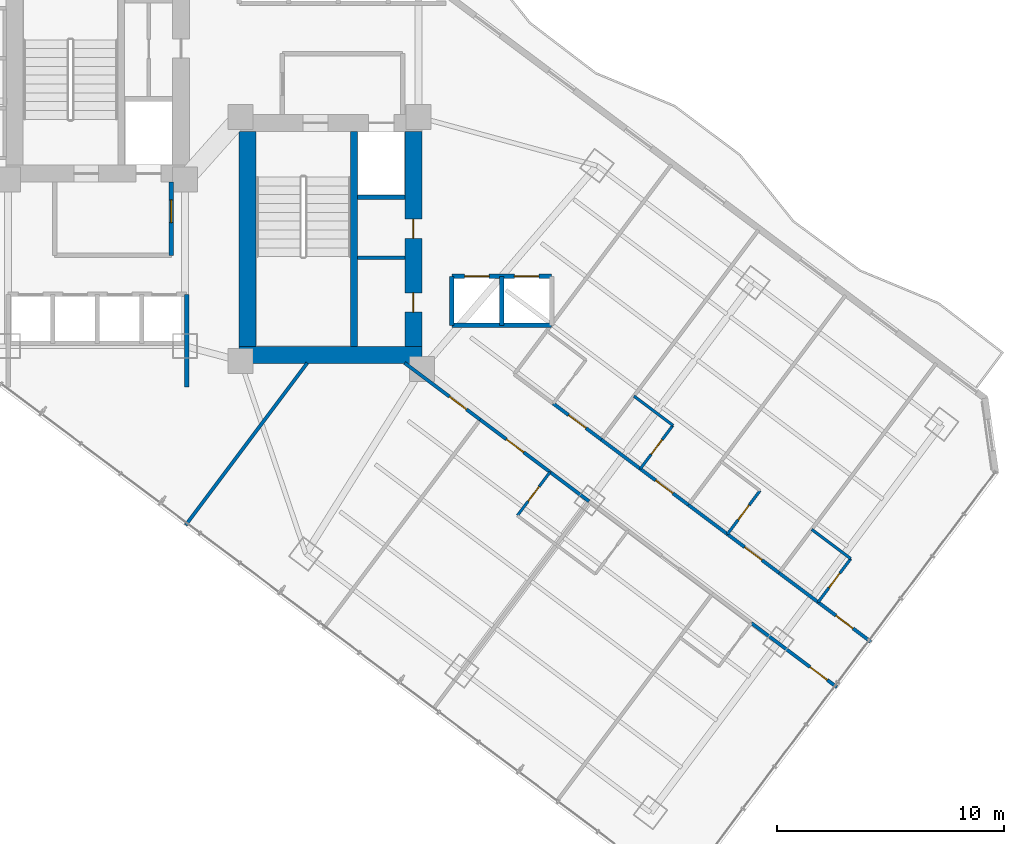
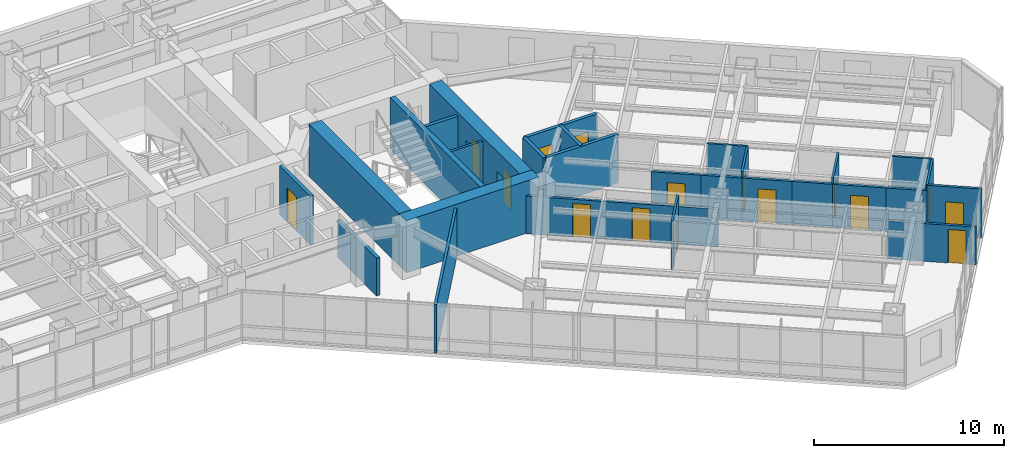
# One storey, part 29 of 38: 30 walls, 16 doors, 16 openings.
"""IFC4 building model written with IfcOpenShell, lengths in metres."""

from ifc_helpers import new_model, si_unit, direction, frame, frame_2d, origin, place, context, subcontext, project, spatial, rectangle, extrude, material, layer, layer_set, type_object, element, fill, save


model = new_model("IFC4")

# Units and contexts
model_context = context("Model", 3, precision=1e-05, world=origin(), true_north=direction((0.0, 1.0)))
body_context = subcontext(model_context, "Body", "Model", "MODEL_VIEW")
ifc_project = project(units=[si_unit("LENGTHUNIT", "METRE"), si_unit("AREAUNIT", "SQUARE_METRE"), si_unit("VOLUMEUNIT", "CUBIC_METRE"), si_unit("PLANEANGLEUNIT", "RADIAN"), si_unit("MASSUNIT", "GRAM", prefix="KILO")], contexts=[model_context])

# Site, building, storey
site_placement = place(None, origin())
site = spatial("IfcSite", under=ifc_project, at=site_placement, CompositionType="ELEMENT")
building_placement = place(site_placement, origin())
building = spatial("IfcBuilding", under=site, at=building_placement, Name="Hatsunagi Terrace Concourse", CompositionType="ELEMENT")
storey_placement = place(building_placement, frame((0.0, 0.0, 63.39990234375)))
storey = spatial("IfcBuildingStorey", under=building, at=storey_placement, Name="L16", CompositionType="ELEMENT", Elevation=63.39990234375)

# Walls
ifc_material_1 = material(Name="Concrete Fc60", Category="concrete")
ifc_layer_1 = layer(ifc_material_1, 0.75)
ifc_layer_set_1 = layer_set([ifc_layer_1], Name="CoreShearWall_Fc60_750")
wall_type_1 = type_object("IfcWallType", Name="CoreShearWall_Fc60_750", PredefinedType="SHEAR", material=ifc_layer_set_1)
wall_1_placement = place(storey_placement, frame((35.739990234375, 24.81494140625, 0.0), z_axis=(0.0, 0.0, 1.0), x_axis=(1.0, 0.0, 0.0)))
element("IfcWall", 1, at=wall_1_placement, inside=storey, type_object=wall_type_1, Name="Core B Shear Wall S L16", PredefinedType="SHEAR", context=body_context, shape_type="SweptSolid", body=[
    extrude(rectangle(XDim=8.06005859375, YDim=0.75, at=frame_2d((4.030029296875, 0.0))), origin(), (0.0, 0.0, 1.0), 3.35009765625),
])
wall_2_placement = place(storey_placement, frame((36.114990234375, 25.18994140625, 0.0), z_axis=(0.0, 0.0, 1.0), x_axis=(0.0, 1.0, 0.0)))
element("IfcWall", 2, at=wall_2_placement, inside=storey, type_object=wall_type_1, Name="Core B Shear Wall W L16", PredefinedType="SHEAR", context=body_context, shape_type="SweptSolid", body=[
    extrude(rectangle(XDim=9.47998046875, YDim=0.75, at=frame_2d((4.739990234375, 0.0))), origin(), (0.0, 0.0, 1.0), 3.35009765625),
])

# Wall, openings, doors
wall_3_placement = place(storey_placement, frame((43.425048828125, 25.18994140625, 0.0), z_axis=(0.0, 0.0, 1.0), x_axis=(0.0, 1.0, 0.0)))
wall_3 = element("IfcWall", 3, at=wall_3_placement, inside=storey, type_object=wall_type_1, Name="Core B Shear Wall E L16", PredefinedType="SHEAR", context=body_context, shape_type="SweptSolid", body=[
    extrude(rectangle(XDim=9.47998046875, YDim=0.75, at=frame_2d((4.739990234375, 0.0))), origin(), (0.0, 0.0, 1.0), 3.35009765625),
])
opening_1_placement = place(wall_3_placement, frame((1.510009765625, 0.0, 0.0)))
opening_1 = element("IfcOpeningElement", 4, at=opening_1_placement, cuts=wall_3, Name="Opening DR-085", PredefinedType="OPENING", context=body_context, shape_type="SweptSolid", body=[
    extrude(rectangle(XDim=0.85009765625, YDim=2.080078125, at=frame_2d((0.425048828125, 1.0400390625))), frame((0.0, 0.385009765625, 0.0), z_axis=(0.0, -1.0, 0.0), x_axis=(1.0, 0.0, 0.0)), (0.0, 0.0, 1.0), 0.77001953125),
])
opening_2_placement = place(wall_3_placement, frame((4.760009765625, 0.0, 0.0)))
opening_2 = element("IfcOpeningElement", 5, at=opening_2_placement, cuts=wall_3, Name="Opening DR-085", PredefinedType="OPENING", context=body_context, shape_type="SweptSolid", body=[
    extrude(rectangle(XDim=0.85009765625, YDim=2.080078125, at=frame_2d((0.425048828125, 1.0400390625))), frame((0.0, 0.385009765625, 0.0), z_axis=(0.0, -1.0, 0.0), x_axis=(1.0, 0.0, 0.0)), (0.0, 0.0, 1.0), 0.77001953125),
])
ifc_material_2 = material(Name="Painted steel", Category="steel")
door_type_1 = type_object("IfcDoorType", Name="RiserAccessDoor_EI60_850", OperationType="NOTDEFINED", PredefinedType="DOOR", material=ifc_material_2)
door_1_placement = place(opening_1_placement, origin())
door_1 = element("IfcDoor", 6, at=door_1_placement, inside=storey, type_object=door_type_1, Name="Core B Riser Door L16-1", OperationType="SINGLE_SWING_RIGHT", OverallHeight=2.080078125, OverallWidth=0.85009765625, PredefinedType="DOOR", context=body_context, shape_type="SweptSolid", body=[
    extrude(rectangle(XDim=0.85009765625, YDim=2.080078125, at=frame_2d((0.425048828125, 1.0400390625))), frame((0.0, 0.02490234375, 0.0), z_axis=(0.0, -1.0, 0.0), x_axis=(1.0, 0.0, 0.0)), (0.0, 0.0, 1.0), 0.050048828125),
])
fill(opening_1, door_1)
door_2_placement = place(opening_2_placement, origin())
door_2 = element("IfcDoor", 7, at=door_2_placement, inside=storey, type_object=door_type_1, Name="Core B Riser Door L16-2", OperationType="SINGLE_SWING_RIGHT", OverallHeight=2.080078125, OverallWidth=0.85009765625, PredefinedType="DOOR", context=body_context, shape_type="SweptSolid", body=[
    extrude(rectangle(XDim=0.85009765625, YDim=2.080078125, at=frame_2d((0.425048828125, 1.0400390625))), frame((0.0, 0.02490234375, 0.0), z_axis=(0.0, -1.0, 0.0), x_axis=(1.0, 0.0, 0.0)), (0.0, 0.0, 1.0), 0.050048828125),
])
fill(opening_2, door_2)

# Wall
ifc_material_3 = material(Name="Concrete Fc48", Category="concrete")
ifc_layer_2 = layer(ifc_material_3, 0.300048828125)
ifc_layer_set_2 = layer_set([ifc_layer_2], Name="CoreStairDivider_Fc48_300")
wall_type_2 = type_object("IfcWallType", Name="CoreStairDivider_Fc48_300", PredefinedType="SHEAR", material=ifc_layer_set_2)
wall_4_placement = place(storey_placement, frame((40.81005859375, 25.18994140625, 0.0), z_axis=(0.0, 0.0, 1.0), x_axis=(0.0, 1.0, 0.0)))
element("IfcWall", 8, at=wall_4_placement, inside=storey, type_object=wall_type_2, Name="Core B Shear Wall D L16", PredefinedType="SHEAR", context=body_context, shape_type="SweptSolid", body=[
    extrude(rectangle(XDim=9.47998046875, YDim=0.300048828125, at=frame_2d((4.739990234375, 0.0))), origin(), (0.0, 0.0, 1.0), 3.35009765625),
])

# Wall, opening, door
ifc_material_4 = material(Name="Acoustic mineral board", Category="gypsum")
ifc_layer_3 = layer(ifc_material_4, 0.1201171875)
ifc_layer_set_3 = layer_set([ifc_layer_3], Name="PartitionWall_EI30_120")
wall_type_3 = type_object("IfcWallType", Name="PartitionWall_EI30_120", PredefinedType="PARTITIONING", material=ifc_layer_set_3)
wall_5_placement = place(storey_placement, frame((53.429931640625, 19.7900390625, 0.0), z_axis=(0.0, 0.0, 1.0), x_axis=(0.600065100855, 0.79995117022, 0.0)))
wall_5 = element("IfcWall", 9, at=wall_5_placement, inside=storey, type_object=wall_type_3, Name="Interior Partition IW-L16-085", PredefinedType="PARTITIONING", context=body_context, shape_type="SweptSolid", body=[
    extrude(rectangle(XDim=2.400146484375, YDim=0.1201171875, at=frame_2d((1.2001953125, 0.0))), origin(), (0.0, 0.0, 1.0), 3.130126953125),
])
opening_3_placement = place(wall_5_placement, frame((0.800048828125, 0.0, 0.0)))
opening_3 = element("IfcOpeningElement", 10, at=opening_3_placement, cuts=wall_5, Name="Opening DR-080", PredefinedType="OPENING", context=body_context, shape_type="SweptSolid", body=[
    extrude(rectangle(XDim=0.800048828125, YDim=2.06005859375, at=frame_2d((0.39990234375, 1.030029296875))), frame((0.0, 0.070068359375, 0.0), z_axis=(0.0, -1.0, 0.0), x_axis=(1.0, 0.0, 0.0)), (0.0, 0.0, 1.0), 0.14013671875),
])
ifc_material_5 = material(Name="Hardwood timber", Category="wood")
door_type_2 = type_object("IfcDoorType", Name="BathroomDoor_800", OperationType="NOTDEFINED", PredefinedType="DOOR", material=ifc_material_5)
door_3_placement = place(opening_3_placement, origin())
door_3 = element("IfcDoor", 11, at=door_3_placement, inside=storey, type_object=door_type_2, Name="En-Suite Bathroom L16-SENE2 Door", OperationType="SINGLE_SWING_RIGHT", OverallHeight=2.06005859375, OverallWidth=0.800048828125, PredefinedType="DOOR", context=body_context, shape_type="SweptSolid", body=[
    extrude(rectangle(XDim=0.800048828125, YDim=2.06005859375, at=frame_2d((0.39990234375, 1.030029296875))), frame((0.0, 0.02490234375, 0.0), z_axis=(0.0, -1.0, 0.0), x_axis=(1.0, 0.0, 0.0)), (0.0, 0.0, 1.0), 0.050048828125),
])
fill(opening_3, door_3)

# Wall
wall_6_placement = place(storey_placement, frame((53.14990234375, 23.0, 0.0), z_axis=(0.0, 0.0, 1.0), x_axis=(0.800027249606, -0.599963665473, 0.0)))
element("IfcWall", 12, at=wall_6_placement, inside=storey, type_object=wall_type_3, Name="Interior Partition IW-L16-086", PredefinedType="PARTITIONING", context=body_context, shape_type="SweptSolid", body=[
    extrude(rectangle(XDim=2.150146484375, YDim=0.1201171875, at=frame_2d((1.0751953125, 0.0))), origin(), (0.0, 0.0, 1.0), 3.130126953125),
])

# Wall, opening, door
wall_7_placement = place(storey_placement, frame((57.27001953125, 16.909912109375, 0.0), z_axis=(0.0, 0.0, 1.0), x_axis=(0.599951172744, 0.800036618114, 0.0)))
wall_7 = element("IfcWall", 13, at=wall_7_placement, inside=storey, type_object=wall_type_3, Name="Interior Partition IW-L16-090", PredefinedType="PARTITIONING", context=body_context, shape_type="SweptSolid", body=[
    extrude(rectangle(XDim=2.400146484375, YDim=0.1201171875, at=frame_2d((1.2001953125, 0.0))), origin(), (0.0, 0.0, 1.0), 3.130126953125),
])
opening_4_placement = place(wall_7_placement, frame((0.800048828125, 0.0, 0.0)))
opening_4 = element("IfcOpeningElement", 14, at=opening_4_placement, cuts=wall_7, Name="Opening DR-080", PredefinedType="OPENING", context=body_context, shape_type="SweptSolid", body=[
    extrude(rectangle(XDim=0.800048828125, YDim=2.06005859375, at=frame_2d((0.39990234375, 1.030029296875))), frame((0.0, 0.070068359375, 0.0), z_axis=(0.0, -1.0, 0.0), x_axis=(1.0, 0.0, 0.0)), (0.0, 0.0, 1.0), 0.14013671875),
])
door_4_placement = place(opening_4_placement, origin())
door_4 = element("IfcDoor", 15, at=door_4_placement, inside=storey, type_object=door_type_2, Name="En-Suite Bathroom L16-SENE3 Door", OperationType="SINGLE_SWING_LEFT", OverallHeight=2.06005859375, OverallWidth=0.800048828125, PredefinedType="DOOR", context=body_context, shape_type="SweptSolid", body=[
    extrude(rectangle(XDim=0.800048828125, YDim=2.06005859375, at=frame_2d((0.39990234375, 1.030029296875))), frame((0.0, 0.02490234375, 0.0), z_axis=(0.0, -1.0, 0.0), x_axis=(1.0, 0.0, 0.0)), (0.0, 0.0, 1.0), 0.050048828125),
])
fill(opening_4, door_4)

wall_8_placement = place(storey_placement, frame((61.27001953125, 13.909912109375, 0.0), z_axis=(0.0, 0.0, 1.0), x_axis=(0.599951172744, 0.800036618114, 0.0)))
wall_8 = element("IfcWall", 16, at=wall_8_placement, inside=storey, type_object=wall_type_3, Name="Interior Partition IW-L16-095", PredefinedType="PARTITIONING", context=body_context, shape_type="SweptSolid", body=[
    extrude(rectangle(XDim=2.400146484375, YDim=0.1201171875, at=frame_2d((1.2001953125, 0.0))), origin(), (0.0, 0.0, 1.0), 3.130126953125),
])
opening_5_placement = place(wall_8_placement, frame((0.800048828125, 0.0, 0.0)))
opening_5 = element("IfcOpeningElement", 17, at=opening_5_placement, cuts=wall_8, Name="Opening DR-080", PredefinedType="OPENING", context=body_context, shape_type="SweptSolid", body=[
    extrude(rectangle(XDim=0.800048828125, YDim=2.06005859375, at=frame_2d((0.39990234375, 1.030029296875))), frame((0.0, 0.070068359375, 0.0), z_axis=(0.0, -1.0, 0.0), x_axis=(1.0, 0.0, 0.0)), (0.0, 0.0, 1.0), 0.14013671875),
])
door_5_placement = place(opening_5_placement, origin())
door_5 = element("IfcDoor", 18, at=door_5_placement, inside=storey, type_object=door_type_2, Name="En-Suite Bathroom L16-SENE4 Door", OperationType="SINGLE_SWING_RIGHT", OverallHeight=2.06005859375, OverallWidth=0.800048828125, PredefinedType="DOOR", context=body_context, shape_type="SweptSolid", body=[
    extrude(rectangle(XDim=0.800048828125, YDim=2.06005859375, at=frame_2d((0.39990234375, 1.030029296875))), frame((0.0, 0.02490234375, 0.0), z_axis=(0.0, -1.0, 0.0), x_axis=(1.0, 0.0, 0.0)), (0.0, 0.0, 1.0), 0.050048828125),
])
fill(opening_5, door_5)

# Wall
wall_9_placement = place(storey_placement, frame((60.989990234375, 17.1201171875, 0.0), z_axis=(0.0, 0.0, 1.0), x_axis=(0.79998637334, -0.60001816845, 0.0)))
element("IfcWall", 19, at=wall_9_placement, inside=storey, type_object=wall_type_3, Name="Interior Partition IW-L16-096", PredefinedType="PARTITIONING", context=body_context, shape_type="SweptSolid", body=[
    extrude(rectangle(XDim=2.14990234375, YDim=0.1201171875, at=frame_2d((1.074951171875, 0.0))), origin(), (0.0, 0.0, 1.0), 3.130126953125),
])

# Wall, opening, door
wall_10_placement = place(storey_placement, frame((48.010009765625, 17.72998046875, 0.0), z_axis=(0.0, 0.0, 1.0), x_axis=(0.6, 0.8, 0.0)))
wall_10 = element("IfcWall", 20, at=wall_10_placement, inside=storey, type_object=wall_type_3, Name="Interior Partition IW-L16-099", PredefinedType="PARTITIONING", context=body_context, shape_type="SweptSolid", body=[
    extrude(rectangle(XDim=2.39990234375, YDim=0.1201171875, at=frame_2d((1.199951171875, 0.0))), origin(), (0.0, 0.0, 1.0), 3.130126953125),
])
opening_6_placement = place(wall_10_placement, frame((0.800048828125, 0.0, 0.0)))
opening_6 = element("IfcOpeningElement", 21, at=opening_6_placement, cuts=wall_10, Name="Opening DR-080", PredefinedType="OPENING", context=body_context, shape_type="SweptSolid", body=[
    extrude(rectangle(XDim=0.800048828125, YDim=2.06005859375, at=frame_2d((0.39990234375, 1.030029296875))), frame((0.0, 0.070068359375, 0.0), z_axis=(0.0, -1.0, 0.0), x_axis=(1.0, 0.0, 0.0)), (0.0, 0.0, 1.0), 0.14013671875),
])
door_6_placement = place(opening_6_placement, origin())
door_6 = element("IfcDoor", 22, at=door_6_placement, inside=storey, type_object=door_type_2, Name="En-Suite Bathroom L16-SESW1 Door", OperationType="SINGLE_SWING_LEFT", OverallHeight=2.06005859375, OverallWidth=0.800048828125, PredefinedType="DOOR", context=body_context, shape_type="SweptSolid", body=[
    extrude(rectangle(XDim=0.800048828125, YDim=2.06005859375, at=frame_2d((0.39990234375, 1.030029296875))), frame((0.0, 0.02490234375, 0.0), z_axis=(0.0, -1.0, 0.0), x_axis=(1.0, 0.0, 0.0)), (0.0, 0.0, 1.0), 0.050048828125),
])
fill(opening_6, door_6)

# Wall
ifc_material_6 = material(Name="Acoustic mineral board", Category="gypsum")
ifc_layer_4 = layer(ifc_material_6, 0.14990234375)
ifc_layer_set_4 = layer_set([ifc_layer_4], Name="PartitionWall_EI60_150")
wall_type_4 = type_object("IfcWallType", Name="PartitionWall_EI60_150", PredefinedType="PARTITIONING", material=ifc_layer_set_4)
wall_11_placement = place(storey_placement, frame((40.969970703125, 29.10009765625, 0.0), z_axis=(0.0, 0.0, 1.0), x_axis=(1.0, 0.0, 0.0)))
element("IfcWall", 23, at=wall_11_placement, inside=storey, type_object=wall_type_4, Name="Interior Partition IW-L16-005", PredefinedType="PARTITIONING", context=body_context, shape_type="SweptSolid", body=[
    extrude(rectangle(XDim=2.080078125, YDim=0.14990234375, at=frame_2d((1.0400390625, 0.0))), origin(), (0.0, 0.0, 1.0), 3.130126953125),
])

# Wall, opening, door
wall_12_placement = place(storey_placement, frame((43.037109375, 24.4599609375, 0.0), z_axis=(0.0, 0.0, 1.0), x_axis=(0.799971872363, -0.600037501685, 0.0)))
wall_12 = element("IfcWall", 24, at=wall_12_placement, inside=storey, type_object=wall_type_4, Name="Interior Partition IW-L16-042", PredefinedType="PARTITIONING", context=body_context, shape_type="SweptSolid", body=[
    extrude(rectangle(XDim=4.16650390625, YDim=0.14990234375, at=frame_2d((2.083251953125, 0.0))), origin(), (0.0, 0.0, 1.0), 2.425048828125),
])
opening_7_placement = place(wall_12_placement, frame((2.468017578125, 0.0, 0.0)))
opening_7 = element("IfcOpeningElement", 25, at=opening_7_placement, cuts=wall_12, Name="Opening DR-095", PredefinedType="OPENING", context=body_context, shape_type="SweptSolid", body=[
    extrude(rectangle(XDim=0.949951171875, YDim=2.14990234375, at=frame_2d((0.47509765625, 1.074951171875))), frame((0.0, 0.0849609375, 0.0), z_axis=(0.0, -1.0, 0.0), x_axis=(1.0, 0.0, 0.0)), (0.0, 0.0, 1.0), 0.169921875),
])
ifc_material_7 = material(Name="Hardwood timber", Category="wood")
door_type_3 = type_object("IfcDoorType", Name="InteriorSuiteDoor_EI30_950", OperationType="NOTDEFINED", PredefinedType="DOOR", material=ifc_material_7)
door_7_placement = place(opening_7_placement, origin())
door_7 = element("IfcDoor", 26, at=door_7_placement, inside=storey, type_object=door_type_3, Name="Meeting Room L16-HMTG Door", OperationType="SINGLE_SWING_RIGHT", OverallHeight=2.14990234375, OverallWidth=0.949951171875, PredefinedType="DOOR", context=body_context, shape_type="SweptSolid", body=[
    extrude(rectangle(XDim=0.949951171875, YDim=2.14990234375, at=frame_2d((0.47509765625, 1.074951171875))), frame((0.0, 0.02490234375, 0.0), z_axis=(0.0, -1.0, 0.0), x_axis=(1.0, 0.0, 0.0)), (0.0, 0.0, 1.0), 0.050048828125),
])
fill(opening_7, door_7)

# Wall
wall_13_placement = place(storey_placement, frame((33.384033203125, 17.31201171875, 0.0), z_axis=(0.0, 0.0, 1.0), x_axis=(0.600008743659, 0.799993442181, 0.0)))
element("IfcWall", 27, at=wall_13_placement, inside=storey, type_object=wall_type_4, Name="Interior Partition IW-L16-043", PredefinedType="PARTITIONING", context=body_context, shape_type="SweptSolid", body=[
    extrude(rectangle(XDim=8.93505859375, YDim=0.14990234375, at=frame_2d((4.467529296875, 0.0))), origin(), (0.0, 0.0, 1.0), 3.130126953125),
])

# Wall, opening, door
wall_14_placement = place(storey_placement, frame((49.590087890625, 22.669921875, 0.0), z_axis=(0.0, 0.0, 1.0), x_axis=(0.800011056104, -0.599985258246, 0.0)))
wall_14 = element("IfcWall", 28, at=wall_14_placement, inside=storey, type_object=wall_type_4, Name="Interior Partition IW-L16-078", PredefinedType="PARTITIONING", context=body_context, shape_type="SweptSolid", body=[
    extrude(rectangle(XDim=2.64990234375, YDim=0.14990234375, at=frame_2d((1.324951171875, 0.0))), origin(), (0.0, 0.0, 1.0), 2.775146484375),
])
opening_8_placement = place(wall_14_placement, frame((0.85009765625, 0.0, 0.0)))
opening_8 = element("IfcOpeningElement", 29, at=opening_8_placement, cuts=wall_14, Name="Opening DR-095", PredefinedType="OPENING", context=body_context, shape_type="SweptSolid", body=[
    extrude(rectangle(XDim=0.949951171875, YDim=2.14990234375, at=frame_2d((0.47509765625, 1.074951171875))), frame((0.0, 0.0849609375, 0.0), z_axis=(0.0, -1.0, 0.0), x_axis=(1.0, 0.0, 0.0)), (0.0, 0.0, 1.0), 0.169921875),
])
door_8_placement = place(opening_8_placement, origin())
door_8 = element("IfcDoor", 30, at=door_8_placement, inside=storey, type_object=door_type_3, Name="Hotel Guest Room L16-SENE1 Door", OperationType="SINGLE_SWING_LEFT", OverallHeight=2.14990234375, OverallWidth=0.949951171875, PredefinedType="DOOR", context=body_context, shape_type="SweptSolid", body=[
    extrude(rectangle(XDim=0.949951171875, YDim=2.14990234375, at=frame_2d((0.47509765625, 1.074951171875))), frame((0.0, 0.02490234375, 0.0), z_axis=(0.0, -1.0, 0.0), x_axis=(1.0, 0.0, 0.0)), (0.0, 0.0, 1.0), 0.050048828125),
])
fill(opening_8, door_8)

# Wall
wall_15_placement = place(storey_placement, frame((51.7099609375, 21.080078125, 0.0), z_axis=(0.0, 0.0, 1.0), x_axis=(0.79998637334, -0.60001816845, 0.0)))
element("IfcWall", 31, at=wall_15_placement, inside=storey, type_object=wall_type_4, Name="Interior Partition IW-L16-083", PredefinedType="PARTITIONING", context=body_context, shape_type="SweptSolid", body=[
    extrude(rectangle(XDim=2.14990234375, YDim=0.14990234375, at=frame_2d((1.074951171875, 0.0))), origin(), (0.0, 0.0, 1.0), 2.775146484375),
])

# Wall, opening, door
wall_16_placement = place(storey_placement, frame((53.429931640625, 19.7900390625, 0.0), z_axis=(0.0, 0.0, 1.0), x_axis=(0.8, -0.6, 0.0)))
wall_16 = element("IfcWall", 32, at=wall_16_placement, inside=storey, type_object=wall_type_4, Name="Interior Partition IW-L16-084", PredefinedType="PARTITIONING", context=body_context, shape_type="SweptSolid", body=[
    extrude(rectangle(XDim=2.650146484375, YDim=0.14990234375, at=frame_2d((1.3251953125, 0.0))), origin(), (0.0, 0.0, 1.0), 2.775146484375),
])
opening_9_placement = place(wall_16_placement, frame((0.85009765625, 0.0, 0.0)))
opening_9 = element("IfcOpeningElement", 33, at=opening_9_placement, cuts=wall_16, Name="Opening DR-095", PredefinedType="OPENING", context=body_context, shape_type="SweptSolid", body=[
    extrude(rectangle(XDim=0.949951171875, YDim=2.14990234375, at=frame_2d((0.47509765625, 1.074951171875))), frame((0.0, 0.0849609375, 0.0), z_axis=(0.0, -1.0, 0.0), x_axis=(1.0, 0.0, 0.0)), (0.0, 0.0, 1.0), 0.169921875),
])
door_9_placement = place(opening_9_placement, origin())
door_9 = element("IfcDoor", 34, at=door_9_placement, inside=storey, type_object=door_type_3, Name="Hotel Guest Room L16-SENE2 Door", OperationType="SINGLE_SWING_LEFT", OverallHeight=2.14990234375, OverallWidth=0.949951171875, PredefinedType="DOOR", context=body_context, shape_type="SweptSolid", body=[
    extrude(rectangle(XDim=0.949951171875, YDim=2.14990234375, at=frame_2d((0.47509765625, 1.074951171875))), frame((0.0, 0.02490234375, 0.0), z_axis=(0.0, -1.0, 0.0), x_axis=(1.0, 0.0, 0.0)), (0.0, 0.0, 1.0), 0.050048828125),
])
fill(opening_9, door_9)

# Wall
wall_17_placement = place(storey_placement, frame((55.550048828125, 18.199951171875, 0.0), z_axis=(0.0, 0.0, 1.0), x_axis=(0.79998637334, -0.60001816845, 0.0)))
element("IfcWall", 35, at=wall_17_placement, inside=storey, type_object=wall_type_4, Name="Interior Partition IW-L16-088", PredefinedType="PARTITIONING", context=body_context, shape_type="SweptSolid", body=[
    extrude(rectangle(XDim=2.14990234375, YDim=0.14990234375, at=frame_2d((1.074951171875, 0.0))), origin(), (0.0, 0.0, 1.0), 2.775146484375),
])

# Wall, opening, door
wall_18_placement = place(storey_placement, frame((57.27001953125, 16.909912109375, 0.0), z_axis=(0.0, 0.0, 1.0), x_axis=(0.800010279488, -0.599986293772, 0.0)))
wall_18 = element("IfcWall", 36, at=wall_18_placement, inside=storey, type_object=wall_type_4, Name="Interior Partition IW-L16-089", PredefinedType="PARTITIONING", context=body_context, shape_type="SweptSolid", body=[
    extrude(rectangle(XDim=2.85009765625, YDim=0.14990234375, at=frame_2d((1.425048828125, 0.0))), origin(), (0.0, 0.0, 1.0), 2.775146484375),
])
opening_10_placement = place(wall_18_placement, frame((0.949951171875, 0.0, 0.0)))
opening_10 = element("IfcOpeningElement", 37, at=opening_10_placement, cuts=wall_18, Name="Opening DR-095", PredefinedType="OPENING", context=body_context, shape_type="SweptSolid", body=[
    extrude(rectangle(XDim=0.949951171875, YDim=2.14990234375, at=frame_2d((0.47509765625, 1.074951171875))), frame((0.0, 0.0849609375, 0.0), z_axis=(0.0, -1.0, 0.0), x_axis=(1.0, 0.0, 0.0)), (0.0, 0.0, 1.0), 0.169921875),
])
door_10_placement = place(opening_10_placement, origin())
door_10 = element("IfcDoor", 38, at=door_10_placement, inside=storey, type_object=door_type_3, Name="Hotel Guest Room L16-SENE3 Door", OperationType="SINGLE_SWING_LEFT", OverallHeight=2.14990234375, OverallWidth=0.949951171875, PredefinedType="DOOR", context=body_context, shape_type="SweptSolid", body=[
    extrude(rectangle(XDim=0.949951171875, YDim=2.14990234375, at=frame_2d((0.47509765625, 1.074951171875))), frame((0.0, 0.02490234375, 0.0), z_axis=(0.0, -1.0, 0.0), x_axis=(1.0, 0.0, 0.0)), (0.0, 0.0, 1.0), 0.050048828125),
])
fill(opening_10, door_10)

# Wall
wall_19_placement = place(storey_placement, frame((59.550048828125, 15.199951171875, 0.0), z_axis=(0.0, 0.0, 1.0), x_axis=(0.79998637334, -0.60001816845, 0.0)))
element("IfcWall", 39, at=wall_19_placement, inside=storey, type_object=wall_type_4, Name="Interior Partition IW-L16-093", PredefinedType="PARTITIONING", context=body_context, shape_type="SweptSolid", body=[
    extrude(rectangle(XDim=2.14990234375, YDim=0.14990234375, at=frame_2d((1.074951171875, 0.0))), origin(), (0.0, 0.0, 1.0), 2.775146484375),
])

# Wall, opening, door
wall_20_placement = place(storey_placement, frame((61.27001953125, 13.909912109375, 0.0), z_axis=(0.0, 0.0, 1.0), x_axis=(0.800010068184, -0.59998657552, 0.0)))
wall_20 = element("IfcWall", 40, at=wall_20_placement, inside=storey, type_object=wall_type_4, Name="Interior Partition IW-L16-094", PredefinedType="PARTITIONING", context=body_context, shape_type="SweptSolid", body=[
    extrude(rectangle(XDim=2.909912109375, YDim=0.14990234375, at=frame_2d((1.455078125, 0.0))), origin(), (0.0, 0.0, 1.0), 3.130126953125),
])
opening_11_placement = place(wall_20_placement, frame((0.97998046875, 0.0, 0.0)))
opening_11 = element("IfcOpeningElement", 41, at=opening_11_placement, cuts=wall_20, Name="Opening DR-095", PredefinedType="OPENING", context=body_context, shape_type="SweptSolid", body=[
    extrude(rectangle(XDim=0.949951171875, YDim=2.14990234375, at=frame_2d((0.47509765625, 1.074951171875))), frame((0.0, 0.0849609375, 0.0), z_axis=(0.0, -1.0, 0.0), x_axis=(1.0, 0.0, 0.0)), (0.0, 0.0, 1.0), 0.169921875),
])
door_11_placement = place(opening_11_placement, origin())
door_11 = element("IfcDoor", 42, at=door_11_placement, inside=storey, type_object=door_type_3, Name="Hotel Guest Room L16-SENE4 Door", OperationType="SINGLE_SWING_LEFT", OverallHeight=2.14990234375, OverallWidth=0.949951171875, PredefinedType="DOOR", context=body_context, shape_type="SweptSolid", body=[
    extrude(rectangle(XDim=0.949951171875, YDim=2.14990234375, at=frame_2d((0.47509765625, 1.074951171875))), frame((0.0, 0.02490234375, 0.0), z_axis=(0.0, -1.0, 0.0), x_axis=(1.0, 0.0, 0.0)), (0.0, 0.0, 1.0), 0.050048828125),
])
fill(opening_11, door_11)

wall_21_placement = place(storey_placement, frame((46.3701171875, 21.9599609375, 0.0), z_axis=(0.0, 0.0, 1.0), x_axis=(0.799977170108, -0.600030438649, 0.0)))
wall_21 = element("IfcWall", 43, at=wall_21_placement, inside=storey, type_object=wall_type_4, Name="Interior Partition IW-L16-097", PredefinedType="PARTITIONING", context=body_context, shape_type="SweptSolid", body=[
    extrude(rectangle(XDim=3.849853515625, YDim=0.14990234375, at=frame_2d((1.9248046875, 0.0))), origin(), (0.0, 0.0, 1.0), 2.425048828125),
])
opening_12_placement = place(wall_21_placement, frame((1.449951171875, 0.0, 0.0)))
opening_12 = element("IfcOpeningElement", 44, at=opening_12_placement, cuts=wall_21, Name="Opening DR-095", PredefinedType="OPENING", context=body_context, shape_type="SweptSolid", body=[
    extrude(rectangle(XDim=0.949951171875, YDim=2.14990234375, at=frame_2d((0.47509765625, 1.074951171875))), frame((0.0, 0.0849609375, 0.0), z_axis=(0.0, -1.0, 0.0), x_axis=(1.0, 0.0, 0.0)), (0.0, 0.0, 1.0), 0.169921875),
])
door_12_placement = place(opening_12_placement, origin())
door_12 = element("IfcDoor", 45, at=door_12_placement, inside=storey, type_object=door_type_3, Name="Hotel Guest Room L16-SESW1 Door", OperationType="SINGLE_SWING_RIGHT", OverallHeight=2.14990234375, OverallWidth=0.949951171875, PredefinedType="DOOR", context=body_context, shape_type="SweptSolid", body=[
    extrude(rectangle(XDim=0.949951171875, YDim=2.14990234375, at=frame_2d((0.47509765625, 1.074951171875))), frame((0.0, 0.02490234375, 0.0), z_axis=(0.0, -1.0, 0.0), x_axis=(1.0, 0.0, 0.0)), (0.0, 0.0, 1.0), 0.050048828125),
])
fill(opening_12, door_12)

# Wall
wall_22_placement = place(storey_placement, frame((49.449951171875, 19.64990234375, 0.0), z_axis=(0.0, 0.0, 1.0), x_axis=(0.800040880289, -0.59994548908, 0.0)))
element("IfcWall", 46, at=wall_22_placement, inside=storey, type_object=wall_type_4, Name="Interior Partition IW-L16-098", PredefinedType="PARTITIONING", context=body_context, shape_type="SweptSolid", body=[
    extrude(rectangle(XDim=2.14990234375, YDim=0.14990234375, at=frame_2d((1.074951171875, 0.0))), origin(), (0.0, 0.0, 1.0), 2.425048828125),
])

# Wall, opening, door
wall_23_placement = place(storey_placement, frame((58.330078125, 12.989990234375, 0.0), z_axis=(0.0, 0.0, 1.0), x_axis=(0.799993779569, -0.600008293819, 0.0)))
wall_23 = element("IfcWall", 47, at=wall_23_placement, inside=storey, type_object=wall_type_4, Name="Interior Partition IW-L16-108", PredefinedType="PARTITIONING", context=body_context, shape_type="SweptSolid", body=[
    extrude(rectangle(XDim=4.709716796875, YDim=0.14990234375, at=frame_2d((2.35498046875, 0.0))), origin(), (0.0, 0.0, 1.0), 2.425048828125),
])
opening_13_placement = place(wall_23_placement, frame((3.22998046875, 0.0, 0.0)))
opening_13 = element("IfcOpeningElement", 48, at=opening_13_placement, cuts=wall_23, Name="Opening DR-095", PredefinedType="OPENING", context=body_context, shape_type="SweptSolid", body=[
    extrude(rectangle(XDim=0.949951171875, YDim=2.14990234375, at=frame_2d((0.47509765625, 1.074951171875))), frame((0.0, 0.0849609375, 0.0), z_axis=(0.0, -1.0, 0.0), x_axis=(1.0, 0.0, 0.0)), (0.0, 0.0, 1.0), 0.169921875),
])
door_13_placement = place(opening_13_placement, origin())
door_13 = element("IfcDoor", 49, at=door_13_placement, inside=storey, type_object=door_type_3, Name="Corner Hotel Suite L16-SESW3 Door", OperationType="SINGLE_SWING_RIGHT", OverallHeight=2.14990234375, OverallWidth=0.949951171875, PredefinedType="DOOR", context=body_context, shape_type="SweptSolid", body=[
    extrude(rectangle(XDim=0.949951171875, YDim=2.14990234375, at=frame_2d((0.47509765625, 1.074951171875))), frame((0.0, 0.02490234375, 0.0), z_axis=(0.0, -1.0, 0.0), x_axis=(1.0, 0.0, 0.0)), (0.0, 0.0, 1.0), 0.050048828125),
])
fill(opening_13, door_13)

# Wall
ifc_material_8 = material(Name="Acoustic mineral board", Category="gypsum")
ifc_layer_5 = layer(ifc_material_8, 0.199951171875)
ifc_layer_set_5 = layer_set([ifc_layer_5], Name="ShaftWall_EI120_200")
wall_type_5 = type_object("IfcWallType", Name="ShaftWall_EI120_200", PredefinedType="STANDARD", material=ifc_layer_set_5)
wall_24_placement = place(storey_placement, frame((40.969970703125, 31.760009765625, 0.0), z_axis=(0.0, 0.0, 1.0), x_axis=(1.0, 0.0, 0.0)))
element("IfcWall", 50, at=wall_24_placement, inside=storey, type_object=wall_type_5, Name="Interior Partition IW-L16-004", PredefinedType="STANDARD", context=body_context, shape_type="SweptSolid", body=[
    extrude(rectangle(XDim=2.080078125, YDim=0.199951171875, at=frame_2d((1.0400390625, 0.0))), origin(), (0.0, 0.0, 1.0), 3.130126953125),
])

# Wall, opening, door
wall_25_placement = place(storey_placement, frame((32.75, 29.199951171875, 0.0), z_axis=(0.0, 0.0, 1.0), x_axis=(0.0, 1.0, 0.0)))
wall_25 = element("IfcWall", 51, at=wall_25_placement, inside=storey, type_object=wall_type_5, Name="Interior Partition IW-L16-008", PredefinedType="STANDARD", context=body_context, shape_type="SweptSolid", body=[
    extrude(rectangle(XDim=3.239990234375, YDim=0.199951171875, at=frame_2d((1.6201171875, 0.0))), origin(), (0.0, 0.0, 1.0), 3.130126953125),
])
opening_14_placement = place(wall_25_placement, frame((1.449951171875, 0.0, 0.0)))
opening_14 = element("IfcOpeningElement", 52, at=opening_14_placement, cuts=wall_25, Name="Opening DR-100F", PredefinedType="OPENING", context=body_context, shape_type="SweptSolid", body=[
    extrude(rectangle(XDim=1.0, YDim=2.199951171875, at=frame_2d((0.5, 1.10009765625))), frame((0.0, 0.10986328125, 0.0), z_axis=(0.0, -1.0, 0.0), x_axis=(1.0, 0.0, 0.0)), (0.0, 0.0, 1.0), 0.219970703125),
])
ifc_material_9 = material(Name="Painted steel", Category="steel")
door_type_4 = type_object("IfcDoorType", Name="FireDoor_EI60_1000", OperationType="NOTDEFINED", PredefinedType="DOOR", material=ifc_material_9)
door_14_placement = place(opening_14_placement, origin())
door_14 = element("IfcDoor", 53, at=door_14_placement, inside=storey, type_object=door_type_4, Name="Firefighting Lobby A Door L16", OperationType="SINGLE_SWING_RIGHT", OverallHeight=2.199951171875, OverallWidth=1.0, PredefinedType="DOOR", context=body_context, shape_type="SweptSolid", body=[
    extrude(rectangle(XDim=1.0, YDim=2.199951171875, at=frame_2d((0.5, 1.10009765625))), frame((0.0, 0.02490234375, 0.0), z_axis=(0.0, -1.0, 0.0), x_axis=(1.0, 0.0, 0.0)), (0.0, 0.0, 1.0), 0.050048828125),
])
fill(opening_14, door_14)

# Walls
wall_26_placement = place(storey_placement, frame((33.429931640625, 23.39990234375, 0.0), z_axis=(0.0, 0.0, 1.0), x_axis=(0.0, 1.0, 0.0)))
element("IfcWall", 54, at=wall_26_placement, inside=storey, type_object=wall_type_5, Name="Interior Partition IW-L16-013", PredefinedType="STANDARD", context=body_context, shape_type="SweptSolid", body=[
    extrude(rectangle(XDim=4.080078125, YDim=0.199951171875, at=frame_2d((2.0400390625, 0.0))), origin(), (0.0, 0.0, 1.0), 2.425048828125),
])
wall_27_placement = place(storey_placement, frame((45.1201171875, 26.1201171875, 0.0), z_axis=(0.0, 0.0, 1.0), x_axis=(1.0, 0.0, 0.0)))
element("IfcWall", 55, at=wall_27_placement, inside=storey, type_object=wall_type_5, Name="Interior Partition IW-L16-025", PredefinedType="STANDARD", context=body_context, shape_type="SweptSolid", body=[
    extrude(rectangle(XDim=4.39990234375, YDim=0.199951171875, at=frame_2d((2.199951171875, 0.0))), origin(), (0.0, 0.0, 1.0), 3.130126953125),
])
for number, where, z_axis, x_axis, name in (
    (56, (45.1201171875, 26.1201171875, 0.0), (0.0, 0.0, 1.0), (0.0, 1.0, 0.0), "Interior Partition IW-L16-026"),
    (57, (47.320068359375, 26.1201171875, 0.0), (0.0, 0.0, 1.0), (0.0, 1.0, 0.0), "Interior Partition IW-L16-028"),
):
    element("IfcWall", number, at=place(storey_placement, frame(where, z_axis=z_axis, x_axis=x_axis)), inside=storey, type_object=wall_type_5, Name=name, PredefinedType="STANDARD", context=body_context, shape_type="SweptSolid", body=[
        extrude(rectangle(XDim=2.159912109375, YDim=0.199951171875, at=frame_2d((1.080078125, 0.0))), origin(), (0.0, 0.0, 1.0), 3.130126953125),
    ])

# Wall, openings, doors
wall_28_placement = place(storey_placement, frame((45.1201171875, 28.280029296875, 0.0), z_axis=(0.0, 0.0, 1.0), x_axis=(1.0, 0.0, 0.0)))
wall_28 = element("IfcWall", 58, at=wall_28_placement, inside=storey, type_object=wall_type_5, Name="Interior Partition IW-L16-029", PredefinedType="STANDARD", context=body_context, shape_type="SweptSolid", body=[
    extrude(rectangle(XDim=4.39990234375, YDim=0.199951171875, at=frame_2d((2.199951171875, 0.0))), origin(), (0.0, 0.0, 1.0), 3.130126953125),
])
opening_15_placement = place(wall_28_placement, frame((0.56005859375, 0.0, 0.0)))
opening_15 = element("IfcOpeningElement", 59, at=opening_15_placement, cuts=wall_28, Name="Opening LD-03", PredefinedType="OPENING", context=body_context, shape_type="SweptSolid", body=[
    extrude(rectangle(XDim=1.080078125, YDim=2.14990234375, at=frame_2d((0.5400390625, 1.074951171875))), frame((0.0, 0.10986328125, 0.0), z_axis=(0.0, -1.0, 0.0), x_axis=(1.0, 0.0, 0.0)), (0.0, 0.0, 1.0), 0.219970703125),
])
opening_16_placement = place(wall_28_placement, frame((2.760009765625, 0.0, 0.0)))
opening_16 = element("IfcOpeningElement", 60, at=opening_16_placement, cuts=wall_28, Name="Opening LD-03", PredefinedType="OPENING", context=body_context, shape_type="SweptSolid", body=[
    extrude(rectangle(XDim=1.080078125, YDim=2.14990234375, at=frame_2d((0.5400390625, 1.074951171875))), frame((0.0, 0.10986328125, 0.0), z_axis=(0.0, -1.0, 0.0), x_axis=(1.0, 0.0, 0.0)), (0.0, 0.0, 1.0), 0.219970703125),
])
ifc_material_10 = material(Name="Stainless steel", Category="steel")
door_type_5 = type_object("IfcDoorType", Name="LiftLandingDoor_LD03", OperationType="SLIDING_TO_LEFT", PredefinedType="USERDEFINED", material=ifc_material_10)
door_15_placement = place(opening_15_placement, origin())
door_15 = element("IfcDoor", 61, at=door_15_placement, inside=storey, type_object=door_type_5, Name="Lift landing door PL-09 L16", ObjectType="SLIDING_LANDING_DOOR", OperationType="SLIDING_TO_LEFT", OverallHeight=2.14990234375, OverallWidth=1.080078125, PredefinedType="USERDEFINED", context=body_context, shape_type="SweptSolid", body=[
    extrude(rectangle(XDim=1.080078125, YDim=2.14990234375, at=frame_2d((0.5400390625, 1.074951171875))), frame((0.0, 0.02490234375, 0.0), z_axis=(0.0, -1.0, 0.0), x_axis=(1.0, 0.0, 0.0)), (0.0, 0.0, 1.0), 0.050048828125),
])
fill(opening_15, door_15)
door_16_placement = place(opening_16_placement, origin())
door_16 = element("IfcDoor", 62, at=door_16_placement, inside=storey, type_object=door_type_5, Name="Lift landing door PL-10 L16", ObjectType="SLIDING_LANDING_DOOR", OperationType="SLIDING_TO_LEFT", OverallHeight=2.14990234375, OverallWidth=1.080078125, PredefinedType="USERDEFINED", context=body_context, shape_type="SweptSolid", body=[
    extrude(rectangle(XDim=1.080078125, YDim=2.14990234375, at=frame_2d((0.5400390625, 1.074951171875))), frame((0.0, 0.02490234375, 0.0), z_axis=(0.0, -1.0, 0.0), x_axis=(1.0, 0.0, 0.0)), (0.0, 0.0, 1.0), 0.050048828125),
])
fill(opening_16, door_16)

save(model, "model.ifc")
